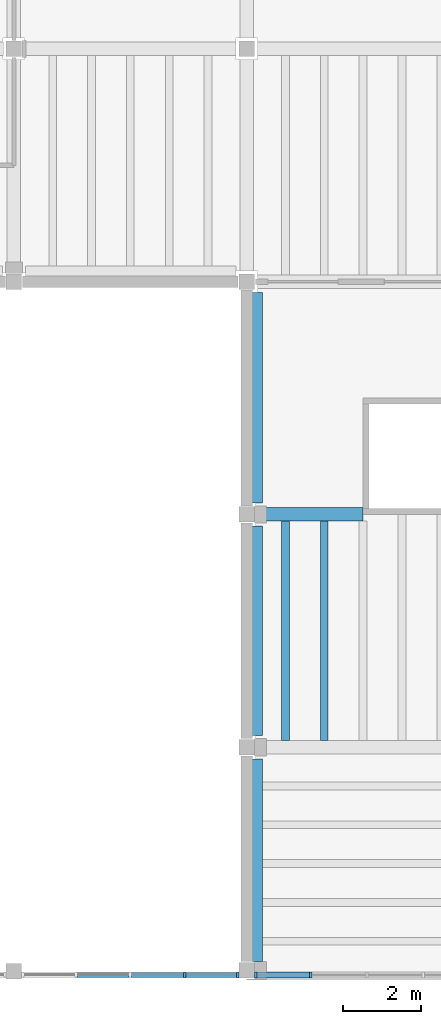
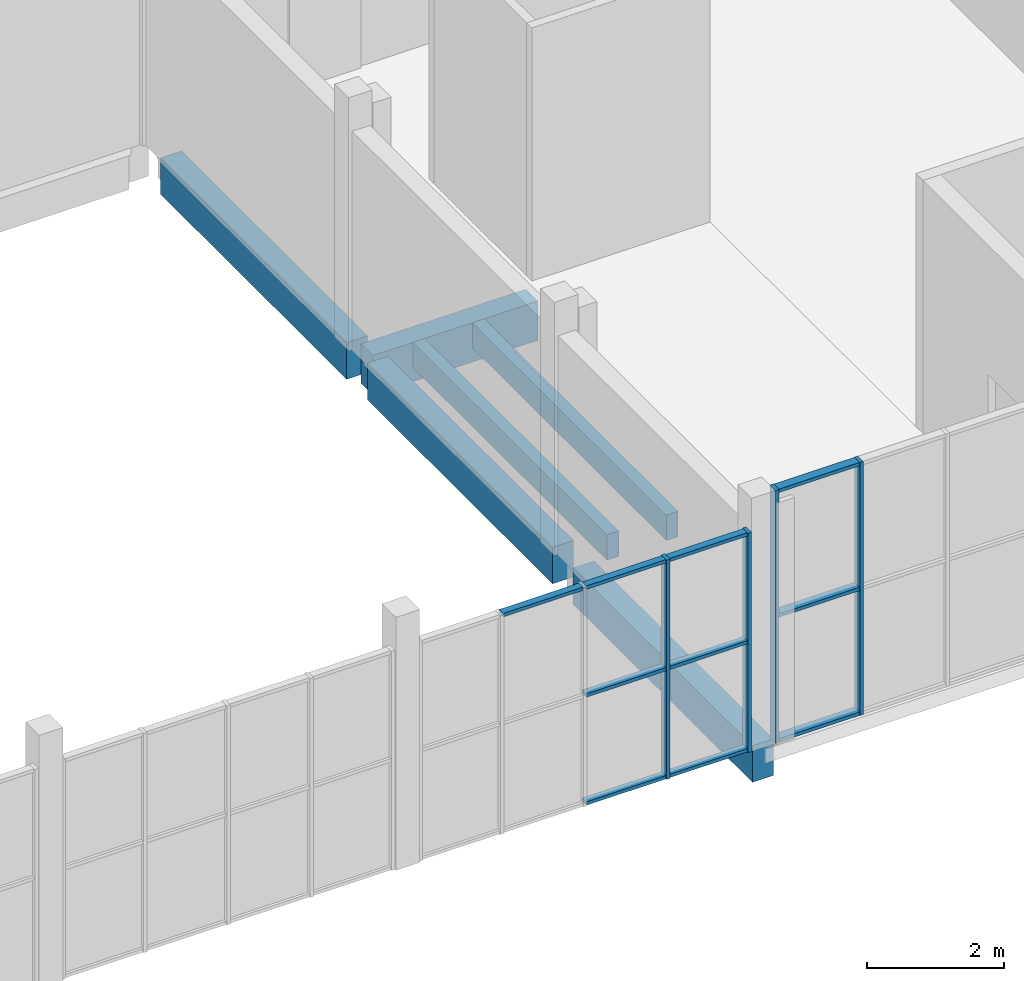
# One storey, part 3 of 70: 14 members, 6 beams, 2 elements without a shape of their own.
"""IFC4 building model written with IfcOpenShell, lengths in metres."""

from ifc_helpers import new_model, si_unit, direction, frame, origin, origin_2d, place, context, subcontext, project, spatial, rectangle, extrude, material, material_profile, profile_set, type_object, element, aggregate, save


model = new_model("IFC4")

# Units and contexts
model_context = context("Model", 3, precision=1e-05, world=origin(), true_north=direction((0.0, 1.0)))
body_context = subcontext(model_context, "Body", "Model", "MODEL_VIEW")
ifc_project = project(units=[si_unit("LENGTHUNIT", "METRE"), si_unit("AREAUNIT", "SQUARE_METRE"), si_unit("VOLUMEUNIT", "CUBIC_METRE"), si_unit("PLANEANGLEUNIT", "RADIAN"), si_unit("MASSUNIT", "GRAM", prefix="KILO")], contexts=[model_context])

# Site, building, storey
site_placement = place(None, origin())
site = spatial("IfcSite", under=ifc_project, at=site_placement, CompositionType="ELEMENT")
building_placement = place(site_placement, origin())
building = spatial("IfcBuilding", under=site, at=building_placement, Name="Saffron Lane Theatres", CompositionType="ELEMENT")
storey_placement = place(building_placement, frame((0.0, 0.0, 12.0)))
storey = spatial("IfcBuildingStorey", under=building, at=storey_placement, Name="L02", CompositionType="ELEMENT", Elevation=12.0)

# Curtain wall, members
ifc_material_1 = material(Name="Aluminium", Category="aluminium")
curtain_wall_type_1 = type_object("IfcCurtainWallType", Name="EX-CURTAIN WALL 5800x4500x160", PredefinedType="NOTDEFINED", material=ifc_material_1)
curtain_wall_1_placement = place(storey_placement, origin())
curtain_wall_1 = element("IfcCurtainWall", 1, at=curtain_wall_1_placement, inside=storey, type_object=curtain_wall_type_1, Name="Curtain wall L02 09", PredefinedType="NOTDEFINED")
ifc_material_2 = material(Name="Aluminium", Category="aluminium")
ifc_material_profile_1 = material_profile(ifc_material_2, rectangle(XDim=0.06005859375, YDim=0.159912109375, at=origin_2d()))
ifc_profile_set_1 = profile_set([ifc_material_profile_1], Name="Aluminium")
member_type_1 = type_object("IfcMemberType", Name="EX-CW MULLION 60x160", PredefinedType="MULLION", material=ifc_profile_set_1)
member_1_placement = place(storey_placement, frame((31.64990234375, 0.1298828125, 0.0), z_axis=(0.0, 0.0, 1.0), x_axis=(-1.0, 0.0, 0.0)))
member_1 = element("IfcMember", 2, at=member_1_placement, type_object=member_type_1, Name="CW-02-09 mullion 4", PredefinedType="MULLION", context=body_context, shape_type="SweptSolid", body=[
    extrude(rectangle(XDim=0.06005859375, YDim=0.159912109375, at=origin_2d()), origin(), (0.0, 0.0, 1.0), 4.5),
])
member_2_placement = place(storey_placement, frame((30.22998046875, 0.1298828125, 0.0), z_axis=(0.0, 0.0, 1.0), x_axis=(-1.0, 0.0, 0.0)))
member_2 = element("IfcMember", 3, at=member_2_placement, type_object=member_type_1, Name="CW-02-09 mullion 5", PredefinedType="MULLION", context=body_context, shape_type="SweptSolid", body=[
    extrude(rectangle(XDim=0.06005859375, YDim=0.159912109375, at=origin_2d()), origin(), (0.0, 0.0, 1.0), 4.5),
])

ifc_material_3 = material(Name="Aluminium", Category="aluminium")
curtain_wall_type_2 = type_object("IfcCurtainWallType", Name="EX-CURTAIN WALL 5600x3900x160", PredefinedType="NOTDEFINED", material=ifc_material_3)
curtain_wall_2_placement = place(storey_placement, origin())
curtain_wall_2 = element("IfcCurtainWall", 4, at=curtain_wall_2_placement, inside=storey, type_object=curtain_wall_type_2, Name="Curtain wall L02 10", PredefinedType="NOTDEFINED")
member_3_placement = place(storey_placement, frame((29.77001953125, 0.1298828125, 0.0), z_axis=(0.0, 0.0, 1.0), x_axis=(-1.0, 0.0, 0.0)))
member_3 = element("IfcMember", 5, at=member_3_placement, type_object=member_type_1, Name="CW-02-10 mullion 1", PredefinedType="MULLION", context=body_context, shape_type="SweptSolid", body=[
    extrude(rectangle(XDim=0.06005859375, YDim=0.159912109375, at=origin_2d()), origin(), (0.0, 0.0, 1.0), 3.89990234375),
])
member_4_placement = place(storey_placement, frame((28.39990234375, 0.1298828125, 0.0), z_axis=(0.0, 0.0, 1.0), x_axis=(-1.0, 0.0, 0.0)))
member_4 = element("IfcMember", 6, at=member_4_placement, type_object=member_type_1, Name="CW-02-10 mullion 2", PredefinedType="MULLION", context=body_context, shape_type="SweptSolid", body=[
    extrude(rectangle(XDim=0.06005859375, YDim=0.159912109375, at=origin_2d()), origin(), (0.0, 0.0, 1.0), 3.89990234375),
])
ifc_material_4 = material(Name="Aluminium", Category="aluminium")
ifc_material_profile_2 = material_profile(ifc_material_4, rectangle(XDim=0.1201171875, YDim=0.06005859375, at=origin_2d()))
ifc_profile_set_2 = profile_set([ifc_material_profile_2], Name="Aluminium")
member_type_2 = type_object("IfcMemberType", Name="EX-CW TRANSOM 120x60", PredefinedType="USERDEFINED", material=ifc_profile_set_2)
member_5_placement = place(storey_placement, frame((29.739990234375, 0.1298828125, 0.030029296875), z_axis=(-1.0, 0.0, 0.0), x_axis=(0.0, -1.0, 0.0)))
member_5 = element("IfcMember", 7, at=member_5_placement, type_object=member_type_2, Name="CW-02-10 transom 1.1", ObjectType="TRANSOM", PredefinedType="USERDEFINED", context=body_context, shape_type="SweptSolid", body=[
    extrude(rectangle(XDim=0.1201171875, YDim=0.06005859375, at=origin_2d()), origin(), (0.0, 0.0, 1.0), 1.31005859375),
])
member_6_placement = place(storey_placement, frame((29.739990234375, 0.1298828125, 1.949951171875), z_axis=(-1.0, 0.0, 0.0), x_axis=(0.0, -1.0, 0.0)))
member_6 = element("IfcMember", 8, at=member_6_placement, type_object=member_type_2, Name="CW-02-10 transom 1.2", ObjectType="TRANSOM", PredefinedType="USERDEFINED", context=body_context, shape_type="SweptSolid", body=[
    extrude(rectangle(XDim=0.1201171875, YDim=0.06005859375, at=origin_2d()), origin(), (0.0, 0.0, 1.0), 1.31005859375),
])
member_7_placement = place(storey_placement, frame((29.739990234375, 0.1298828125, 3.869873046875), z_axis=(-1.0, 0.0, 0.0), x_axis=(0.0, -1.0, 0.0)))
member_7 = element("IfcMember", 9, at=member_7_placement, type_object=member_type_2, Name="CW-02-10 transom 1.3", ObjectType="TRANSOM", PredefinedType="USERDEFINED", context=body_context, shape_type="SweptSolid", body=[
    extrude(rectangle(XDim=0.1201171875, YDim=0.06005859375, at=origin_2d()), origin(), (0.0, 0.0, 1.0), 1.31005859375),
])
member_8_placement = place(storey_placement, frame((28.3701171875, 0.1298828125, 0.030029296875), z_axis=(-1.0, 0.0, 0.0), x_axis=(0.0, -1.0, 0.0)))
member_8 = element("IfcMember", 10, at=member_8_placement, type_object=member_type_2, Name="CW-02-10 transom 2.1", ObjectType="TRANSOM", PredefinedType="USERDEFINED", context=body_context, shape_type="SweptSolid", body=[
    extrude(rectangle(XDim=0.1201171875, YDim=0.06005859375, at=origin_2d()), origin(), (0.0, 0.0, 1.0), 1.340087890625),
])
member_9_placement = place(storey_placement, frame((28.3701171875, 0.1298828125, 1.949951171875), z_axis=(-1.0, 0.0, 0.0), x_axis=(0.0, -1.0, 0.0)))
member_9 = element("IfcMember", 11, at=member_9_placement, type_object=member_type_2, Name="CW-02-10 transom 2.2", ObjectType="TRANSOM", PredefinedType="USERDEFINED", context=body_context, shape_type="SweptSolid", body=[
    extrude(rectangle(XDim=0.1201171875, YDim=0.06005859375, at=origin_2d()), origin(), (0.0, 0.0, 1.0), 1.340087890625),
])
member_10_placement = place(storey_placement, frame((28.3701171875, 0.1298828125, 3.869873046875), z_axis=(-1.0, 0.0, 0.0), x_axis=(0.0, -1.0, 0.0)))
member_10 = element("IfcMember", 12, at=member_10_placement, type_object=member_type_2, Name="CW-02-10 transom 2.3", ObjectType="TRANSOM", PredefinedType="USERDEFINED", context=body_context, shape_type="SweptSolid", body=[
    extrude(rectangle(XDim=0.1201171875, YDim=0.06005859375, at=origin_2d()), origin(), (0.0, 0.0, 1.0), 1.340087890625),
])
member_11_placement = place(storey_placement, frame((26.969970703125, 0.1298828125, 3.869873046875), z_axis=(-1.0, 0.0, 0.0), x_axis=(0.0, -1.0, 0.0)))
member_11 = element("IfcMember", 13, at=member_11_placement, type_object=member_type_2, Name="CW-02-10 transom 3.3", ObjectType="TRANSOM", PredefinedType="USERDEFINED", context=body_context, shape_type="SweptSolid", body=[
    extrude(rectangle(XDim=0.1201171875, YDim=0.06005859375, at=origin_2d()), origin(), (0.0, 0.0, 1.0), 1.340087890625),
])
aggregate(curtain_wall_2, [member_3, member_4, member_5, member_6, member_7, member_8, member_9, member_10, member_11])

# Member
ifc_material_5 = material(Name="Aluminium", Category="aluminium")
ifc_material_profile_3 = material_profile(ifc_material_5, rectangle(XDim=0.14990234375, YDim=0.06005859375, at=origin_2d()))
ifc_profile_set_3 = profile_set([ifc_material_profile_3], Name="Aluminium")
member_type_3 = type_object("IfcMemberType", Name="EX-CW TRANSOM 150x60", PredefinedType="USERDEFINED", material=ifc_profile_set_3)
member_12_placement = place(storey_placement, frame((31.619873046875, 0.1298828125, 0.030029296875), z_axis=(-1.0, 0.0, 0.0), x_axis=(0.0, -1.0, 0.0)))
member_12 = element("IfcMember", 14, at=member_12_placement, type_object=member_type_3, Name="CW-02-09 transom 4.1", ObjectType="TRANSOM", PredefinedType="USERDEFINED", context=body_context, shape_type="SweptSolid", body=[
    extrude(rectangle(XDim=0.14990234375, YDim=0.06005859375, at=origin_2d()), origin(), (0.0, 0.0, 1.0), 1.35986328125),
])

member_13_placement = place(storey_placement, frame((31.619873046875, 0.1298828125, 2.25), z_axis=(-1.0, 0.0, 0.0), x_axis=(0.0, -1.0, 0.0)))
member_13 = element("IfcMember", 15, at=member_13_placement, type_object=member_type_3, Name="CW-02-09 transom 4.2", ObjectType="TRANSOM", PredefinedType="USERDEFINED", context=body_context, shape_type="SweptSolid", body=[
    extrude(rectangle(XDim=0.14990234375, YDim=0.06005859375, at=origin_2d()), origin(), (0.0, 0.0, 1.0), 1.35986328125),
])

member_14_placement = place(storey_placement, frame((31.619873046875, 0.1298828125, 4.469970703125), z_axis=(-1.0, 0.0, 0.0), x_axis=(0.0, -1.0, 0.0)))
member_14 = element("IfcMember", 16, at=member_14_placement, type_object=member_type_3, Name="CW-02-09 transom 4.3", ObjectType="TRANSOM", PredefinedType="USERDEFINED", context=body_context, shape_type="SweptSolid", body=[
    extrude(rectangle(XDim=0.14990234375, YDim=0.06005859375, at=origin_2d()), origin(), (0.0, 0.0, 1.0), 1.35986328125),
])

aggregate(curtain_wall_1, [member_1, member_2, member_12, member_13, member_14])

# Beams
ifc_material_6 = material(Name="Concrete N40 (40 MPa)", Category="concrete")
ifc_material_profile_4 = material_profile(ifc_material_6, rectangle(XDim=0.35009765625, YDim=0.64990234375, at=origin_2d()))
ifc_profile_set_4 = profile_set([ifc_material_profile_4], Name="Concrete N40 (40 MPa)")
beam_type_1 = type_object("IfcBeamType", Name="RC-BEAM 350x650", PredefinedType="BEAM", material=ifc_profile_set_4)
beam_1_placement = place(storey_placement, frame((30.235107421875, 0.4755859375, -0.574951171875), z_axis=(0.0, 1.0, 0.0), x_axis=(-1.0, 0.0, 0.0)))
element("IfcBeam", 17, at=beam_1_placement, inside=storey, type_object=beam_type_1, Name="beam-L02-y300-5", PredefinedType="BEAM", context=body_context, shape_type="SweptSolid", body=[
    extrude(rectangle(XDim=0.35009765625, YDim=0.64990234375, at=origin_2d()), origin(), (0.0, 0.0, 1.0), 5.224365234375),
])
beam_2_placement = place(storey_placement, frame((30.235107421875, 6.300048828125, -0.574951171875), z_axis=(0.0, 1.0, 0.0), x_axis=(-1.0, 0.0, 0.0)))
element("IfcBeam", 18, at=beam_2_placement, inside=storey, type_object=beam_type_1, Name="beam-L02-y300-63", PredefinedType="BEAM", context=body_context, shape_type="SweptSolid", body=[
    extrude(rectangle(XDim=0.35009765625, YDim=0.64990234375, at=origin_2d()), origin(), (0.0, 0.0, 1.0), 5.39990234375),
])
beam_3_placement = place(storey_placement, frame((30.235107421875, 12.300048828125, -0.574951171875), z_axis=(0.0, 1.0, 0.0), x_axis=(-1.0, 0.0, 0.0)))
element("IfcBeam", 19, at=beam_3_placement, inside=storey, type_object=beam_type_1, Name="beam-L02-y300-123", PredefinedType="BEAM", context=body_context, shape_type="SweptSolid", body=[
    extrude(rectangle(XDim=0.35009765625, YDim=0.64990234375, at=origin_2d()), origin(), (0.0, 0.0, 1.0), 5.425048828125),
])
ifc_material_7 = material(Name="Concrete N40 (40 MPa)", Category="concrete")
ifc_material_profile_5 = material_profile(ifc_material_7, rectangle(XDim=0.35009765625, YDim=0.699951171875, at=origin_2d()))
ifc_profile_set_5 = profile_set([ifc_material_profile_5], Name="Concrete N40 (40 MPa)")
beam_type_2 = type_object("IfcBeamType", Name="RC-BEAM 350x700", PredefinedType="BEAM", material=ifc_profile_set_5)
beam_4_placement = place(storey_placement, frame((30.22509765625, 12.0, -0.60009765625), z_axis=(1.0, 0.0, 0.0), x_axis=(0.0, 1.0, 0.0)))
element("IfcBeam", 20, at=beam_4_placement, inside=storey, type_object=beam_type_2, Name="beam-L02-x120-302", PredefinedType="BEAM", context=body_context, shape_type="SweptSolid", body=[
    extrude(rectangle(XDim=0.35009765625, YDim=0.699951171875, at=origin_2d()), origin(), (0.0, 0.0, 1.0), 2.77490234375),
])
ifc_material_8 = material(Name="Concrete N40 (40 MPa)", Category="concrete")
ifc_material_profile_6 = material_profile(ifc_material_8, rectangle(XDim=0.199951171875, YDim=0.449951171875, at=origin_2d()))
ifc_profile_set_6 = profile_set([ifc_material_profile_6], Name="Concrete N40 (40 MPa)")
beam_type_3 = type_object("IfcBeamType", Name="RC-JOIST 200x450", PredefinedType="JOIST", material=ifc_profile_set_6)
for number, where, z_axis, x_axis, name in (
    (21, (31.0, 6.175048828125, -0.47509765625), (0.0, 1.0, 0.0), (-1.0, 0.0, 0.0), "joist-L02-y3100-62"),
    (22, (32.0, 6.175048828125, -0.47509765625), (0.0, 1.0, 0.0), (-1.0, 0.0, 0.0), "joist-L02-y3200-62"),
):
    element("IfcBeam", number, at=place(storey_placement, frame(where, z_axis=z_axis, x_axis=x_axis)), inside=storey, type_object=beam_type_3, Name=name, PredefinedType="JOIST", context=body_context, shape_type="SweptSolid", body=[
        extrude(rectangle(XDim=0.199951171875, YDim=0.449951171875, at=origin_2d()), origin(), (0.0, 0.0, 1.0), 5.64990234375),
    ])

save(model, "model.ifc")
